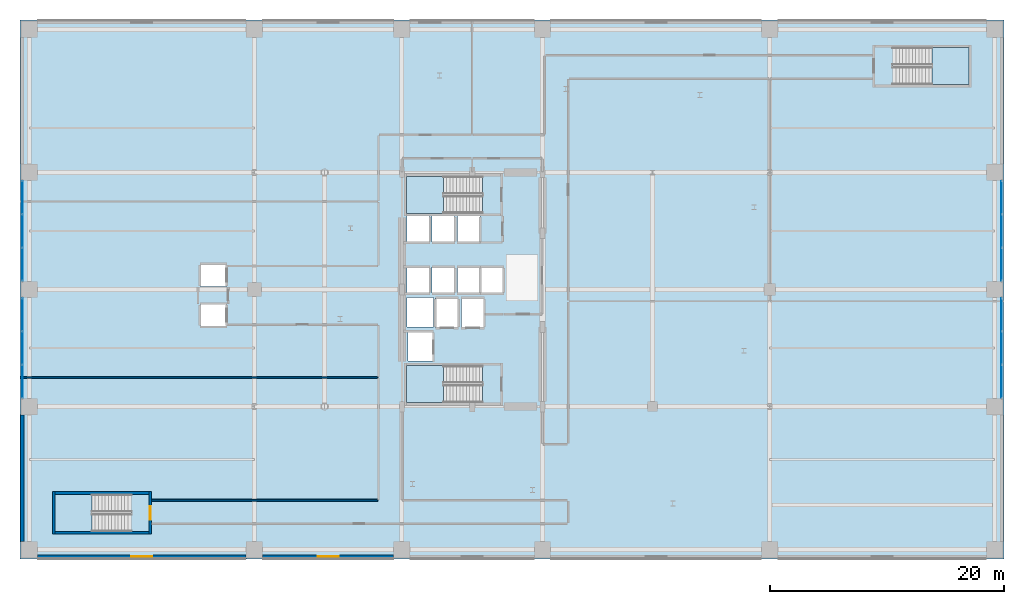
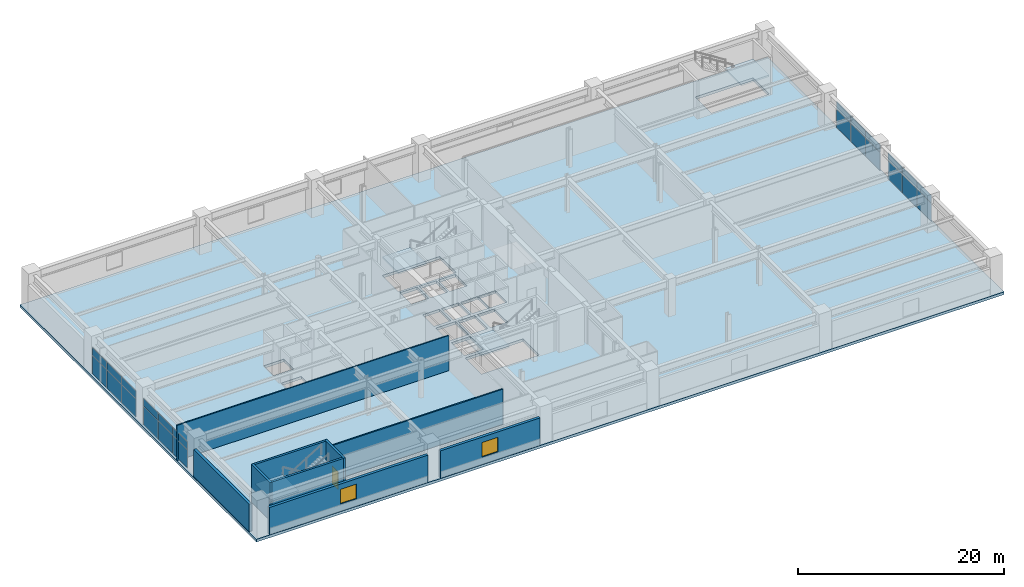
# One storey, part 19 of 28: 24 plates, 9 walls, 5 slabs, 2 windows, 1 door, 3 openings, 8 elements without a shape of their own.
"""IFC4 building model written with IfcOpenShell, lengths in metres."""

from ifc_helpers import new_model, si_unit, direction, frame, frame_2d, origin, origin_2d, place, context, subcontext, project, spatial, polyline, rectangle, outline, extrude, material, layer, layer_set, type_object, element, fill, aggregate, save


model = new_model("IFC4")

# Units and contexts
model_context = context("Model", 3, precision=1e-05, world=origin(), true_north=direction((0.0, 1.0)))
body_context = subcontext(model_context, "Body", "Model", "MODEL_VIEW")
ifc_project = project(units=[si_unit("LENGTHUNIT", "METRE"), si_unit("AREAUNIT", "SQUARE_METRE"), si_unit("VOLUMEUNIT", "CUBIC_METRE"), si_unit("PLANEANGLEUNIT", "RADIAN"), si_unit("MASSUNIT", "GRAM", prefix="KILO")], contexts=[model_context])

# Site, building, storey
site_placement = place(None, origin())
site = spatial("IfcSite", under=ifc_project, at=site_placement, CompositionType="ELEMENT")
building_placement = place(site_placement, origin())
building = spatial("IfcBuilding", under=site, at=building_placement, Name="Soratama Intermodal Tower", CompositionType="ELEMENT")
storey_placement = place(building_placement, frame((0.0, 0.0, 16.199951171875)))
storey = spatial("IfcBuildingStorey", under=building, at=storey_placement, Name="L03", CompositionType="ELEMENT", Elevation=16.199951171875)

# Curtain wall, plates
ifc_material_1 = material(Name="Double-glazed aluminium curtain wall", Category="aluminium")
ifc_layer_1 = layer(ifc_material_1, 0.159912109375)
ifc_layer_set_1 = layer_set([ifc_layer_1], Name="Double-glazed aluminium curtain wall")
curtain_wall_type = type_object("IfcCurtainWallType", Name="CW-SYS-1", PredefinedType="NOTDEFINED", material=ifc_layer_set_1)
curtain_wall_1_placement = place(storey_placement, origin())
curtain_wall_1 = element("IfcCurtainWall", 1, at=curtain_wall_1_placement, inside=storey, type_object=curtain_wall_type, Name="L03 Station Curtain Wall E1", PredefinedType="NOTDEFINED")
ifc_material_2 = material(Name="Low-E laminated double glazing", Category="glass")
ifc_layer_2 = layer(ifc_material_2, 0.035888671875)
ifc_layer_set_2 = layer_set([ifc_layer_2], Name="Low-E laminated double glazing")
plate_type = type_object("IfcPlateType", Name="PT-CWP-1", PredefinedType="CURTAIN_PANEL", material=ifc_layer_set_2)
plate_1_placement = place(storey_placement, frame((83.800048828125, 17.1484375, 0.06005859375), z_axis=(0.0, 0.0, 1.0), x_axis=(0.0, 1.0, 0.0)))
plate_1 = element("IfcPlate", 2, at=plate_1_placement, type_object=plate_type, Name="CW-1 panel 1.1", PredefinedType="CURTAIN_PANEL", context=body_context, shape_type="SweptSolid", body=[
    extrude(rectangle(XDim=2.776611328125, YDim=0.028076171875, at=origin_2d()), origin(), (0.0, 0.0, 1.0), 2.159912109375),
])
plate_2_placement = place(storey_placement, frame((83.800048828125, 17.1484375, 2.280029296875), z_axis=(0.0, 0.0, 1.0), x_axis=(0.0, 1.0, 0.0)))
plate_2 = element("IfcPlate", 3, at=plate_2_placement, type_object=plate_type, Name="CW-1 panel 1.2", PredefinedType="CURTAIN_PANEL", context=body_context, shape_type="SweptSolid", body=[
    extrude(rectangle(XDim=2.776611328125, YDim=0.028076171875, at=origin_2d()), origin(), (0.0, 0.0, 1.0), 0.89599609375),
])
plate_3_placement = place(storey_placement, frame((83.800048828125, 20.0, 0.06005859375), z_axis=(0.0, 0.0, 1.0), x_axis=(0.0, 1.0, 0.0)))
plate_3 = element("IfcPlate", 4, at=plate_3_placement, type_object=plate_type, Name="CW-1 panel 2.1", PredefinedType="CURTAIN_PANEL", context=body_context, shape_type="SweptSolid", body=[
    extrude(rectangle(XDim=2.806640625, YDim=0.028076171875, at=origin_2d()), origin(), (0.0, 0.0, 1.0), 2.159912109375),
])
plate_4_placement = place(storey_placement, frame((83.800048828125, 20.0, 2.280029296875), z_axis=(0.0, 0.0, 1.0), x_axis=(0.0, 1.0, 0.0)))
plate_4 = element("IfcPlate", 5, at=plate_4_placement, type_object=plate_type, Name="CW-1 panel 2.2", PredefinedType="CURTAIN_PANEL", context=body_context, shape_type="SweptSolid", body=[
    extrude(rectangle(XDim=2.806640625, YDim=0.028076171875, at=origin_2d()), origin(), (0.0, 0.0, 1.0), 0.89599609375),
])
plate_5_placement = place(storey_placement, frame((83.800048828125, 22.8515625, 0.06005859375), z_axis=(0.0, 0.0, 1.0), x_axis=(0.0, 1.0, 0.0)))
plate_5 = element("IfcPlate", 6, at=plate_5_placement, type_object=plate_type, Name="CW-1 panel 3.1", PredefinedType="CURTAIN_PANEL", context=body_context, shape_type="SweptSolid", body=[
    extrude(rectangle(XDim=2.776611328125, YDim=0.028076171875, at=origin_2d()), origin(), (0.0, 0.0, 1.0), 2.159912109375),
])
plate_6_placement = place(storey_placement, frame((83.800048828125, 22.8515625, 2.280029296875), z_axis=(0.0, 0.0, 1.0), x_axis=(0.0, 1.0, 0.0)))
plate_6 = element("IfcPlate", 7, at=plate_6_placement, type_object=plate_type, Name="CW-1 panel 3.2", PredefinedType="CURTAIN_PANEL", context=body_context, shape_type="SweptSolid", body=[
    extrude(rectangle(XDim=2.776611328125, YDim=0.028076171875, at=origin_2d()), origin(), (0.0, 0.0, 1.0), 0.89599609375),
])
aggregate(curtain_wall_1, [plate_1, plate_2, plate_3, plate_4, plate_5, plate_6])

curtain_wall_2_placement = place(storey_placement, origin())
curtain_wall_2 = element("IfcCurtainWall", 8, at=curtain_wall_2_placement, inside=storey, type_object=curtain_wall_type, Name="L03 Station Curtain Wall E2", PredefinedType="NOTDEFINED")
plate_7_placement = place(storey_placement, frame((83.800048828125, 27.1484375, 0.06005859375), z_axis=(0.0, 0.0, 1.0), x_axis=(0.0, 1.0, 0.0)))
plate_7 = element("IfcPlate", 9, at=plate_7_placement, type_object=plate_type, Name="CW-1 panel 1.1", PredefinedType="CURTAIN_PANEL", context=body_context, shape_type="SweptSolid", body=[
    extrude(rectangle(XDim=2.776611328125, YDim=0.028076171875, at=origin_2d()), origin(), (0.0, 0.0, 1.0), 2.159912109375),
])
plate_8_placement = place(storey_placement, frame((83.800048828125, 27.1484375, 2.280029296875), z_axis=(0.0, 0.0, 1.0), x_axis=(0.0, 1.0, 0.0)))
plate_8 = element("IfcPlate", 10, at=plate_8_placement, type_object=plate_type, Name="CW-1 panel 1.2", PredefinedType="CURTAIN_PANEL", context=body_context, shape_type="SweptSolid", body=[
    extrude(rectangle(XDim=2.776611328125, YDim=0.028076171875, at=origin_2d()), origin(), (0.0, 0.0, 1.0), 0.89599609375),
])
plate_9_placement = place(storey_placement, frame((83.800048828125, 30.0, 0.06005859375), z_axis=(0.0, 0.0, 1.0), x_axis=(0.0, 1.0, 0.0)))
plate_9 = element("IfcPlate", 11, at=plate_9_placement, type_object=plate_type, Name="CW-1 panel 2.1", PredefinedType="CURTAIN_PANEL", context=body_context, shape_type="SweptSolid", body=[
    extrude(rectangle(XDim=2.806640625, YDim=0.028076171875, at=origin_2d()), origin(), (0.0, 0.0, 1.0), 2.159912109375),
])
plate_10_placement = place(storey_placement, frame((83.800048828125, 30.0, 2.280029296875), z_axis=(0.0, 0.0, 1.0), x_axis=(0.0, 1.0, 0.0)))
plate_10 = element("IfcPlate", 12, at=plate_10_placement, type_object=plate_type, Name="CW-1 panel 2.2", PredefinedType="CURTAIN_PANEL", context=body_context, shape_type="SweptSolid", body=[
    extrude(rectangle(XDim=2.806640625, YDim=0.028076171875, at=origin_2d()), origin(), (0.0, 0.0, 1.0), 0.89599609375),
])
plate_11_placement = place(storey_placement, frame((83.800048828125, 32.8515625, 0.06005859375), z_axis=(0.0, 0.0, 1.0), x_axis=(0.0, 1.0, 0.0)))
plate_11 = element("IfcPlate", 13, at=plate_11_placement, type_object=plate_type, Name="CW-1 panel 3.1", PredefinedType="CURTAIN_PANEL", context=body_context, shape_type="SweptSolid", body=[
    extrude(rectangle(XDim=2.776611328125, YDim=0.028076171875, at=origin_2d()), origin(), (0.0, 0.0, 1.0), 2.159912109375),
])
plate_12_placement = place(storey_placement, frame((83.800048828125, 32.8515625, 2.280029296875), z_axis=(0.0, 0.0, 1.0), x_axis=(0.0, 1.0, 0.0)))
plate_12 = element("IfcPlate", 14, at=plate_12_placement, type_object=plate_type, Name="CW-1 panel 3.2", PredefinedType="CURTAIN_PANEL", context=body_context, shape_type="SweptSolid", body=[
    extrude(rectangle(XDim=2.776611328125, YDim=0.028076171875, at=origin_2d()), origin(), (0.0, 0.0, 1.0), 0.89599609375),
])
aggregate(curtain_wall_2, [plate_7, plate_8, plate_9, plate_10, plate_11, plate_12])

curtain_wall_3_placement = place(storey_placement, origin())
curtain_wall_3 = element("IfcCurtainWall", 15, at=curtain_wall_3_placement, inside=storey, type_object=curtain_wall_type, Name="L03 Station Curtain Wall W1", PredefinedType="NOTDEFINED")
plate_13_placement = place(storey_placement, frame((0.199951171875, 17.1484375, 0.06005859375), z_axis=(0.0, 0.0, 1.0), x_axis=(0.0, 1.0, 0.0)))
plate_13 = element("IfcPlate", 16, at=plate_13_placement, type_object=plate_type, Name="CW-1 panel 1.1", PredefinedType="CURTAIN_PANEL", context=body_context, shape_type="SweptSolid", body=[
    extrude(rectangle(XDim=2.776611328125, YDim=0.028076171875, at=origin_2d()), origin(), (0.0, 0.0, 1.0), 2.159912109375),
])
plate_14_placement = place(storey_placement, frame((0.199951171875, 17.1484375, 2.280029296875), z_axis=(0.0, 0.0, 1.0), x_axis=(0.0, 1.0, 0.0)))
plate_14 = element("IfcPlate", 17, at=plate_14_placement, type_object=plate_type, Name="CW-1 panel 1.2", PredefinedType="CURTAIN_PANEL", context=body_context, shape_type="SweptSolid", body=[
    extrude(rectangle(XDim=2.776611328125, YDim=0.028076171875, at=origin_2d()), origin(), (0.0, 0.0, 1.0), 0.89599609375),
])
plate_15_placement = place(storey_placement, frame((0.199951171875, 20.0, 0.06005859375), z_axis=(0.0, 0.0, 1.0), x_axis=(0.0, 1.0, 0.0)))
plate_15 = element("IfcPlate", 18, at=plate_15_placement, type_object=plate_type, Name="CW-1 panel 2.1", PredefinedType="CURTAIN_PANEL", context=body_context, shape_type="SweptSolid", body=[
    extrude(rectangle(XDim=2.806640625, YDim=0.028076171875, at=origin_2d()), origin(), (0.0, 0.0, 1.0), 2.159912109375),
])
plate_16_placement = place(storey_placement, frame((0.199951171875, 20.0, 2.280029296875), z_axis=(0.0, 0.0, 1.0), x_axis=(0.0, 1.0, 0.0)))
plate_16 = element("IfcPlate", 19, at=plate_16_placement, type_object=plate_type, Name="CW-1 panel 2.2", PredefinedType="CURTAIN_PANEL", context=body_context, shape_type="SweptSolid", body=[
    extrude(rectangle(XDim=2.806640625, YDim=0.028076171875, at=origin_2d()), origin(), (0.0, 0.0, 1.0), 0.89599609375),
])
plate_17_placement = place(storey_placement, frame((0.199951171875, 22.8515625, 0.06005859375), z_axis=(0.0, 0.0, 1.0), x_axis=(0.0, 1.0, 0.0)))
plate_17 = element("IfcPlate", 20, at=plate_17_placement, type_object=plate_type, Name="CW-1 panel 3.1", PredefinedType="CURTAIN_PANEL", context=body_context, shape_type="SweptSolid", body=[
    extrude(rectangle(XDim=2.776611328125, YDim=0.028076171875, at=origin_2d()), origin(), (0.0, 0.0, 1.0), 2.159912109375),
])
plate_18_placement = place(storey_placement, frame((0.199951171875, 22.8515625, 2.280029296875), z_axis=(0.0, 0.0, 1.0), x_axis=(0.0, 1.0, 0.0)))
plate_18 = element("IfcPlate", 21, at=plate_18_placement, type_object=plate_type, Name="CW-1 panel 3.2", PredefinedType="CURTAIN_PANEL", context=body_context, shape_type="SweptSolid", body=[
    extrude(rectangle(XDim=2.776611328125, YDim=0.028076171875, at=origin_2d()), origin(), (0.0, 0.0, 1.0), 0.89599609375),
])
aggregate(curtain_wall_3, [plate_13, plate_14, plate_15, plate_16, plate_17, plate_18])

curtain_wall_4_placement = place(storey_placement, origin())
curtain_wall_4 = element("IfcCurtainWall", 22, at=curtain_wall_4_placement, inside=storey, type_object=curtain_wall_type, Name="L03 Station Curtain Wall W2", PredefinedType="NOTDEFINED")
plate_19_placement = place(storey_placement, frame((0.199951171875, 27.1484375, 0.06005859375), z_axis=(0.0, 0.0, 1.0), x_axis=(0.0, 1.0, 0.0)))
plate_19 = element("IfcPlate", 23, at=plate_19_placement, type_object=plate_type, Name="CW-1 panel 1.1", PredefinedType="CURTAIN_PANEL", context=body_context, shape_type="SweptSolid", body=[
    extrude(rectangle(XDim=2.776611328125, YDim=0.028076171875, at=origin_2d()), origin(), (0.0, 0.0, 1.0), 2.159912109375),
])
plate_20_placement = place(storey_placement, frame((0.199951171875, 27.1484375, 2.280029296875), z_axis=(0.0, 0.0, 1.0), x_axis=(0.0, 1.0, 0.0)))
plate_20 = element("IfcPlate", 24, at=plate_20_placement, type_object=plate_type, Name="CW-1 panel 1.2", PredefinedType="CURTAIN_PANEL", context=body_context, shape_type="SweptSolid", body=[
    extrude(rectangle(XDim=2.776611328125, YDim=0.028076171875, at=origin_2d()), origin(), (0.0, 0.0, 1.0), 0.89599609375),
])
plate_21_placement = place(storey_placement, frame((0.199951171875, 30.0, 0.06005859375), z_axis=(0.0, 0.0, 1.0), x_axis=(0.0, 1.0, 0.0)))
plate_21 = element("IfcPlate", 25, at=plate_21_placement, type_object=plate_type, Name="CW-1 panel 2.1", PredefinedType="CURTAIN_PANEL", context=body_context, shape_type="SweptSolid", body=[
    extrude(rectangle(XDim=2.806640625, YDim=0.028076171875, at=origin_2d()), origin(), (0.0, 0.0, 1.0), 2.159912109375),
])
plate_22_placement = place(storey_placement, frame((0.199951171875, 30.0, 2.280029296875), z_axis=(0.0, 0.0, 1.0), x_axis=(0.0, 1.0, 0.0)))
plate_22 = element("IfcPlate", 26, at=plate_22_placement, type_object=plate_type, Name="CW-1 panel 2.2", PredefinedType="CURTAIN_PANEL", context=body_context, shape_type="SweptSolid", body=[
    extrude(rectangle(XDim=2.806640625, YDim=0.028076171875, at=origin_2d()), origin(), (0.0, 0.0, 1.0), 0.89599609375),
])
plate_23_placement = place(storey_placement, frame((0.199951171875, 32.8515625, 0.06005859375), z_axis=(0.0, 0.0, 1.0), x_axis=(0.0, 1.0, 0.0)))
plate_23 = element("IfcPlate", 27, at=plate_23_placement, type_object=plate_type, Name="CW-1 panel 3.1", PredefinedType="CURTAIN_PANEL", context=body_context, shape_type="SweptSolid", body=[
    extrude(rectangle(XDim=2.776611328125, YDim=0.028076171875, at=origin_2d()), origin(), (0.0, 0.0, 1.0), 2.159912109375),
])
plate_24_placement = place(storey_placement, frame((0.199951171875, 32.8515625, 2.280029296875), z_axis=(0.0, 0.0, 1.0), x_axis=(0.0, 1.0, 0.0)))
plate_24 = element("IfcPlate", 28, at=plate_24_placement, type_object=plate_type, Name="CW-1 panel 3.2", PredefinedType="CURTAIN_PANEL", context=body_context, shape_type="SweptSolid", body=[
    extrude(rectangle(XDim=2.776611328125, YDim=0.028076171875, at=origin_2d()), origin(), (0.0, 0.0, 1.0), 0.89599609375),
])
aggregate(curtain_wall_4, [plate_19, plate_20, plate_21, plate_22, plate_23, plate_24])

# Slab
ifc_material_3 = material(Name="Concrete f'c 42 MPa", Category="concrete")
ifc_layer_3 = layer(ifc_material_3, 0.320068359375)
ifc_layer_set_3 = layer_set([ifc_layer_3], Name="Concrete f'c 42 MPa")
slab_type_1 = type_object("IfcSlabType", Name="SL-POD-320", PredefinedType="FLOOR", material=ifc_layer_set_3)
slab_1_placement = place(storey_placement, frame((0.0, 0.0, -0.320068359375)))
element("IfcSlab", 29, at=slab_1_placement, inside=storey, type_object=slab_type_1, Name="L03 Structural Floor Slab", PredefinedType="FLOOR", context=body_context, shape_type="SweptSolid", body=[
    extrude(outline(polyline([(0.0, 2.0), (84.0, 2.0), (84.0, 48.0), (0.0, 48.0), (0.0, 2.0)]), holes=[polyline([(9.47509765625, 7.5), (3.0, 7.5), (3.0, 4.35009765625), (9.47509765625, 4.35009765625), (9.47509765625, 7.5)]), polyline([(35.260009765625, 18.889892578125), (35.260009765625, 21.409912109375), (33.139892578125, 21.409912109375), (33.139892578125, 18.889892578125), (35.260009765625, 18.889892578125)]), polyline([(17.610107421875, 21.840087890625), (17.610107421875, 23.760009765625), (15.389892578125, 23.760009765625), (15.389892578125, 21.840087890625), (17.610107421875, 21.840087890625)]), polyline([(33.050048828125, 21.800048828125), (35.280029296875, 21.800048828125), (35.280029296875, 24.320068359375), (33.050048828125, 24.320068359375), (33.050048828125, 21.800048828125)]), polyline([(34.9599609375, 24.68994140625), (34.9599609375, 26.909912109375), (33.0400390625, 26.909912109375), (33.0400390625, 24.68994140625), (34.9599609375, 24.68994140625)]), polyline([(37.110107421875, 24.68994140625), (37.110107421875, 26.909912109375), (35.18994140625, 26.909912109375), (35.18994140625, 24.68994140625), (37.110107421875, 24.68994140625)]), polyline([(17.610107421875, 25.239990234375), (17.610107421875, 27.159912109375), (15.389892578125, 27.159912109375), (15.389892578125, 25.239990234375), (17.610107421875, 25.239990234375)]), polyline([(34.9599609375, 29.0400390625), (34.9599609375, 31.260009765625), (33.0400390625, 31.260009765625), (33.0400390625, 29.0400390625), (34.9599609375, 29.0400390625)]), polyline([(37.110107421875, 29.0400390625), (37.110107421875, 31.260009765625), (35.18994140625, 31.260009765625), (35.18994140625, 29.0400390625), (37.110107421875, 29.0400390625)]), polyline([(39.47509765625, 18.5), (33.0, 18.5), (33.0, 15.35009765625), (39.47509765625, 15.35009765625), (39.47509765625, 18.5)]), polyline([(37.409912109375, 21.739990234375), (37.409912109375, 24.260009765625), (35.489990234375, 24.260009765625), (35.489990234375, 21.739990234375), (37.409912109375, 21.739990234375)]), polyline([(39.610107421875, 21.739990234375), (39.610107421875, 24.260009765625), (37.68994140625, 24.260009765625), (37.68994140625, 21.739990234375), (39.610107421875, 21.739990234375)]), polyline([(39.260009765625, 24.68994140625), (39.260009765625, 26.909912109375), (37.340087890625, 26.909912109375), (37.340087890625, 24.68994140625), (39.260009765625, 24.68994140625)]), polyline([(41.260009765625, 24.68994140625), (41.260009765625, 26.909912109375), (39.340087890625, 26.909912109375), (39.340087890625, 24.68994140625), (41.260009765625, 24.68994140625)]), polyline([(39.260009765625, 29.0400390625), (39.260009765625, 31.260009765625), (37.340087890625, 31.260009765625), (37.340087890625, 29.0400390625), (39.260009765625, 29.0400390625)]), polyline([(39.47509765625, 31.5), (39.47509765625, 34.64990234375), (33.0, 34.64990234375), (33.0, 31.5), (39.47509765625, 31.5)]), polyline([(74.52490234375, 45.64990234375), (74.52490234375, 42.5), (81.0, 42.5), (81.0, 45.64990234375), (74.52490234375, 45.64990234375)])]), origin(), (0.0, 0.0, 1.0), 0.320068359375),
])

# Stair, slab
ifc_material_4 = material(Name="Concrete f'c 42 MPa", Category="concrete")
stair_type = type_object("IfcStairType", Name="ST-CORE-DOGLEG", PredefinedType="HALF_TURN_STAIR", material=ifc_material_4)
stair_1_placement = place(storey_placement, origin())
stair_1 = element("IfcStair", 30, at=stair_1_placement, inside=storey, type_object=stair_type, Name="L03 ST-1", PredefinedType="HALF_TURN_STAIR")
ifc_material_5 = material(Name="Concrete f'c 42 MPa", Category="concrete")
ifc_layer_4 = layer(ifc_material_5, 0.219970703125)
ifc_layer_set_4 = layer_set([ifc_layer_4], Name="Concrete f'c 42 MPa")
slab_type_2 = type_object("IfcSlabType", Name="SL-STAIR-LAND", PredefinedType="LANDING", material=ifc_layer_set_4)
slab_2_placement = place(storey_placement, frame((0.0, 0.0, 2.050048828125)))
slab_2 = element("IfcSlab", 31, at=slab_2_placement, type_object=slab_type_2, Name="ST-1 landing 1", PredefinedType="LANDING", context=body_context, shape_type="SweptSolid", body=[
    extrude(outline(polyline([(36.139892578125, 18.5), (33.0, 18.5), (33.0, 15.35009765625), (36.139892578125, 15.35009765625), (36.139892578125, 18.5)])), origin(), (0.0, 0.0, 1.0), 0.199951171875),
])
aggregate(stair_1, [slab_2])

stair_2_placement = place(storey_placement, origin())
stair_2 = element("IfcStair", 32, at=stair_2_placement, inside=storey, type_object=stair_type, Name="L03 ST-2", PredefinedType="HALF_TURN_STAIR")
slab_3_placement = place(storey_placement, frame((0.0, 0.0, 2.050048828125)))
slab_3 = element("IfcSlab", 33, at=slab_3_placement, type_object=slab_type_2, Name="ST-2 landing 1", PredefinedType="LANDING", context=body_context, shape_type="SweptSolid", body=[
    extrude(outline(polyline([(36.139892578125, 34.64990234375), (33.0, 34.64990234375), (33.0, 31.5), (36.139892578125, 31.5), (36.139892578125, 34.64990234375)])), origin(), (0.0, 0.0, 1.0), 0.199951171875),
])
aggregate(stair_2, [slab_3])

stair_3_placement = place(storey_placement, origin())
stair_3 = element("IfcStair", 34, at=stair_3_placement, inside=storey, type_object=stair_type, Name="L03 ST-3", PredefinedType="HALF_TURN_STAIR")
slab_4_placement = place(storey_placement, frame((0.0, 0.0, 2.050048828125)))
slab_4 = element("IfcSlab", 35, at=slab_4_placement, type_object=slab_type_2, Name="ST-3 landing 1", PredefinedType="LANDING", context=body_context, shape_type="SweptSolid", body=[
    extrude(outline(polyline([(6.139892578125, 7.5), (3.0, 7.5), (3.0, 4.35009765625), (6.139892578125, 4.35009765625), (6.139892578125, 7.5)])), origin(), (0.0, 0.0, 1.0), 0.199951171875),
])
aggregate(stair_3, [slab_4])

stair_4_placement = place(storey_placement, origin())
stair_4 = element("IfcStair", 36, at=stair_4_placement, inside=storey, type_object=stair_type, Name="L03 ST-4", PredefinedType="HALF_TURN_STAIR")
slab_5_placement = place(storey_placement, frame((0.0, 0.0, 2.050048828125)))
slab_5 = element("IfcSlab", 37, at=slab_5_placement, type_object=slab_type_2, Name="ST-4 landing 1", PredefinedType="LANDING", context=body_context, shape_type="SweptSolid", body=[
    extrude(outline(polyline([(77.860107421875, 42.5), (81.0, 42.5), (81.0, 45.64990234375), (77.860107421875, 45.64990234375), (77.860107421875, 42.5)])), origin(), (0.0, 0.0, 1.0), 0.199951171875),
])
aggregate(stair_4, [slab_5])

# Wall, opening, window
ifc_material_6 = material(Name="Concrete f'c 42 MPa", Category="concrete")
ifc_layer_5 = layer(ifc_material_6, 0.300048828125)
ifc_layer_set_5 = layer_set([ifc_layer_5], Name="Concrete f'c 42 MPa")
wall_type_1 = type_object("IfcWallType", Name="EW-STONE-300", PredefinedType="SOLIDWALL", material=ifc_layer_set_5)
wall_1_placement = place(storey_placement, frame((19.300048828125, 2.199951171875, 0.0), z_axis=(0.0, 0.0, 1.0), x_axis=(-1.0, 0.0, 0.0)))
wall_1 = element("IfcWall", 38, at=wall_1_placement, inside=storey, type_object=wall_type_1, Name="L03 S Limestone Wall B1", PredefinedType="SOLIDWALL", context=body_context, shape_type="SweptSolid", body=[
    extrude(rectangle(XDim=17.800048828125, YDim=0.300048828125, at=frame_2d((8.89990234375, 0.0))), origin(), (0.0, 0.0, 1.0), 3.236083984375),
])
opening_1_placement = place(wall_1_placement, frame((8.0, 0.0, 0.85009765625)))
opening_1 = element("IfcOpeningElement", 39, at=opening_1_placement, cuts=wall_1, Name="Opening WN-3", PredefinedType="OPENING", context=body_context, shape_type="SweptSolid", body=[
    extrude(rectangle(XDim=1.800048828125, YDim=1.75, at=frame_2d((0.89990234375, 0.875))), frame((0.0, 0.159912109375, 0.0), z_axis=(0.0, -1.0, 0.0), x_axis=(1.0, 0.0, 0.0)), (0.0, 0.0, 1.0), 0.320068359375),
])
ifc_material_7 = material(Name="Double-glazed aluminium window", Category="aluminium")
window_type = type_object("IfcWindowType", Name="WN-POD-1800", PartitioningType="SINGLE_PANEL", PredefinedType="WINDOW", material=ifc_material_7)
window_1_placement = place(opening_1_placement, origin())
window_1 = element("IfcWindow", 40, at=window_1_placement, inside=storey, type_object=window_type, Name="L03 S Window B1", OverallHeight=1.75, OverallWidth=1.800048828125, PartitioningType="SINGLE_PANEL", PredefinedType="WINDOW", context=body_context, shape_type="SweptSolid", body=[
    extrude(rectangle(XDim=1.800048828125, YDim=1.75, at=frame_2d((0.89990234375, 0.875))), frame((0.0, 0.030029296875, 0.0), z_axis=(0.0, -1.0, 0.0), x_axis=(1.0, 0.0, 0.0)), (0.0, 0.0, 1.0), 0.06005859375),
])
fill(opening_1, window_1)

wall_2_placement = place(storey_placement, frame((31.89990234375, 2.199951171875, 0.0), z_axis=(0.0, 0.0, 1.0), x_axis=(-1.0, 0.0, 0.0)))
wall_2 = element("IfcWall", 41, at=wall_2_placement, inside=storey, type_object=wall_type_1, Name="L03 S Limestone Wall B2", PredefinedType="SOLIDWALL", context=body_context, shape_type="SweptSolid", body=[
    extrude(rectangle(XDim=11.199951171875, YDim=0.300048828125, at=frame_2d((5.60009765625, 0.0))), origin(), (0.0, 0.0, 1.0), 3.236083984375),
])
opening_2_placement = place(wall_2_placement, frame((4.699951171875, 0.0, 0.85009765625)))
opening_2 = element("IfcOpeningElement", 42, at=opening_2_placement, cuts=wall_2, Name="Opening WN-3", PredefinedType="OPENING", context=body_context, shape_type="SweptSolid", body=[
    extrude(rectangle(XDim=1.800048828125, YDim=1.75, at=frame_2d((0.89990234375, 0.875))), frame((0.0, 0.159912109375, 0.0), z_axis=(0.0, -1.0, 0.0), x_axis=(1.0, 0.0, 0.0)), (0.0, 0.0, 1.0), 0.320068359375),
])
window_2_placement = place(opening_2_placement, origin())
window_2 = element("IfcWindow", 43, at=window_2_placement, inside=storey, type_object=window_type, Name="L03 S Window B2", OverallHeight=1.75, OverallWidth=1.800048828125, PartitioningType="SINGLE_PANEL", PredefinedType="WINDOW", context=body_context, shape_type="SweptSolid", body=[
    extrude(rectangle(XDim=1.800048828125, YDim=1.75, at=frame_2d((0.89990234375, 0.875))), frame((0.0, 0.030029296875, 0.0), z_axis=(0.0, -1.0, 0.0), x_axis=(1.0, 0.0, 0.0)), (0.0, 0.0, 1.0), 0.06005859375),
])
fill(opening_2, window_2)

# Walls
wall_3_placement = place(storey_placement, frame((0.199951171875, 3.5, 0.0), z_axis=(0.0, 0.0, 1.0), x_axis=(0.0, 1.0, 0.0)))
element("IfcWall", 44, at=wall_3_placement, inside=storey, type_object=wall_type_1, Name="L03 Perimeter Wall WS", PredefinedType="SOLIDWALL", context=body_context, shape_type="SweptSolid", body=[
    extrude(rectangle(XDim=10.800048828125, YDim=0.300048828125, at=frame_2d((5.39990234375, 0.0))), origin(), (0.0, 0.0, 1.0), 3.236083984375),
])
ifc_material_8 = material(Name="Fire-rated gypsum stud partition", Category="concrete")
ifc_layer_6 = layer(ifc_material_8, 0.14990234375)
ifc_layer_set_6 = layer_set([ifc_layer_6], Name="Fire-rated gypsum stud partition")
wall_type_2 = type_object("IfcWallType", Name="IW-PART-R150", PredefinedType="PARTITIONING", material=ifc_layer_set_6)
wall_4_placement = place(storey_placement, frame((11.1201171875, 7.0, 0.0), z_axis=(0.0, 0.0, 1.0), x_axis=(1.0, 0.0, 0.0)))
element("IfcWall", 45, at=wall_4_placement, inside=storey, type_object=wall_type_2, Name="L03 Partition W-L03-TP006", PredefinedType="PARTITIONING", context=body_context, shape_type="SweptSolid", body=[
    extrude(rectangle(XDim=19.409912109375, YDim=0.14990234375, at=frame_2d((9.705078125, 0.0))), origin(), (0.0, 0.0, 1.0), 4.179931640625),
])
ifc_material_9 = material(Name="Fire-rated gypsum stud partition", Category="concrete")
ifc_layer_7 = layer(ifc_material_9, 0.1298828125)
ifc_layer_set_7 = layer_set([ifc_layer_7], Name="Fire-rated gypsum stud partition")
wall_type_3 = type_object("IfcWallType", Name="IW-PART-S130", PredefinedType="PARTITIONING", material=ifc_layer_set_7)
wall_5_placement = place(storey_placement, frame((0.0, 17.5, 0.0), z_axis=(0.0, 0.0, 1.0), x_axis=(1.0, 0.0, 0.0)))
element("IfcWall", 46, at=wall_5_placement, inside=storey, type_object=wall_type_3, Name="L03 Partition W-L03-TP002", PredefinedType="PARTITIONING", context=body_context, shape_type="SweptSolid", body=[
    extrude(rectangle(XDim=30.530029296875, YDim=0.1298828125, at=frame_2d((15.26513671875, 0.0))), origin(), (0.0, 0.0, 1.0), 4.179931640625),
])
ifc_material_10 = material(Name="Concrete f'c 56 MPa", Category="concrete")
ifc_layer_8 = layer(ifc_material_10, 0.239990234375)
ifc_layer_set_8 = layer_set([ifc_layer_8], Name="Concrete f'c 56 MPa")
wall_type_4 = type_object("IfcWallType", Name="SW-STAIR-240", PredefinedType="SHEAR", material=ifc_layer_set_8)
wall_6_placement = place(storey_placement, frame((2.8798828125, 4.110107421875, 0.0), z_axis=(0.0, 0.0, 1.0), x_axis=(0.0, 1.0, 0.0)))
element("IfcWall", 47, at=wall_6_placement, inside=storey, type_object=wall_type_4, Name="L03 ST-3 Shaft Shear Wall W", PredefinedType="SHEAR", context=body_context, shape_type="SweptSolid", body=[
    extrude(rectangle(XDim=3.6298828125, YDim=0.239990234375, at=frame_2d((1.81494140625, 0.0))), origin(), (0.0, 0.0, 1.0), 4.5),
])

# Wall, opening, door
wall_7_placement = place(storey_placement, frame((11.1201171875, 4.110107421875, 0.0), z_axis=(0.0, 0.0, 1.0), x_axis=(0.0, 1.0, 0.0)))
wall_7 = element("IfcWall", 48, at=wall_7_placement, inside=storey, type_object=wall_type_4, Name="L03 ST-3 Shaft Shear Wall E", PredefinedType="SHEAR", context=body_context, shape_type="SweptSolid", body=[
    extrude(rectangle(XDim=3.6298828125, YDim=0.239990234375, at=frame_2d((1.81494140625, 0.0))), origin(), (0.0, 0.0, 1.0), 4.5),
])
opening_3_placement = place(wall_7_placement, frame((1.2548828125, 0.0, 0.0)))
opening_3 = element("IfcOpeningElement", 49, at=opening_3_placement, cuts=wall_7, Name="Opening SD-1", PredefinedType="OPENING", context=body_context, shape_type="SweptSolid", body=[
    extrude(rectangle(XDim=1.1201171875, YDim=2.14990234375, at=frame_2d((0.56005859375, 1.074951171875))), frame((0.0, 0.1298828125, 0.0), z_axis=(0.0, -1.0, 0.0), x_axis=(1.0, 0.0, 0.0)), (0.0, 0.0, 1.0), 0.260009765625),
])
ifc_material_11 = material(Name="Steel fire door", Category="steel")
door_type = type_object("IfcDoorType", Name="DR-STAIR-FD90", OperationType="NOTDEFINED", PredefinedType="DOOR", material=ifc_material_11)
door_placement = place(opening_3_placement, origin())
door = element("IfcDoor", 50, at=door_placement, inside=storey, type_object=door_type, Name="L03 ST-3 Exit Stair Door", OperationType="SINGLE_SWING_LEFT", OverallHeight=2.14990234375, OverallWidth=1.1201171875, PredefinedType="DOOR", context=body_context, shape_type="SweptSolid", body=[
    extrude(rectangle(XDim=1.1201171875, YDim=2.14990234375, at=frame_2d((0.56005859375, 1.074951171875))), frame((0.0, 0.02490234375, 0.0), z_axis=(0.0, -1.0, 0.0), x_axis=(1.0, 0.0, 0.0)), (0.0, 0.0, 1.0), 0.050048828125),
])
fill(opening_3, door)

# Walls
for number, where, z_axis, x_axis, name in (
    (51, (3.0, 4.22998046875, 0.0), (0.0, 0.0, 1.0), (1.0, 0.0, 0.0), "L03 ST-3 Shaft Shear Wall S"),
    (52, (3.0, 7.6201171875, 0.0), (0.0, 0.0, 1.0), (1.0, 0.0, 0.0), "L03 ST-3 Shaft Shear Wall N"),
):
    element("IfcWall", number, at=place(storey_placement, frame(where, z_axis=z_axis, x_axis=x_axis)), inside=storey, type_object=wall_type_4, Name=name, PredefinedType="SHEAR", context=body_context, shape_type="SweptSolid", body=[
        extrude(rectangle(XDim=8.0, YDim=0.239990234375, at=frame_2d((4.0, 0.0))), origin(), (0.0, 0.0, 1.0), 4.5),
    ])

save(model, "model.ifc")
